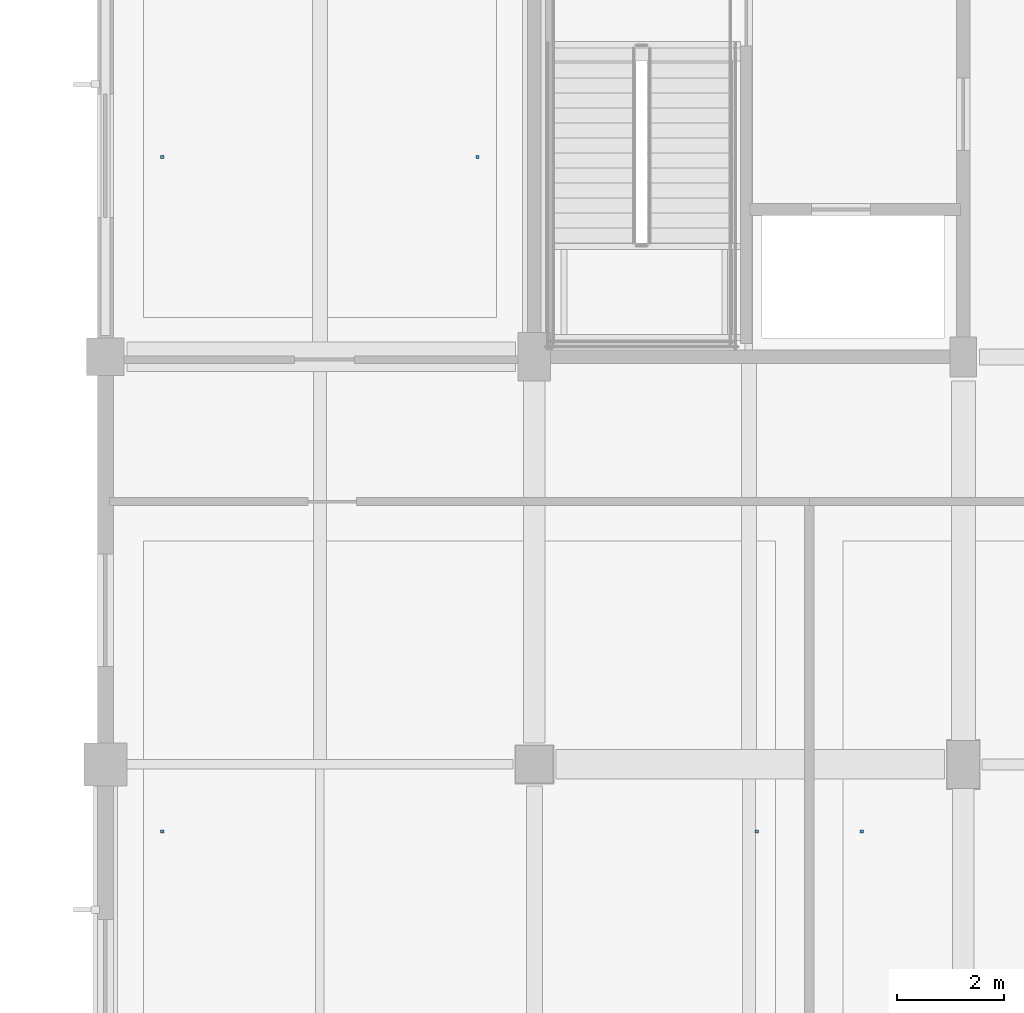
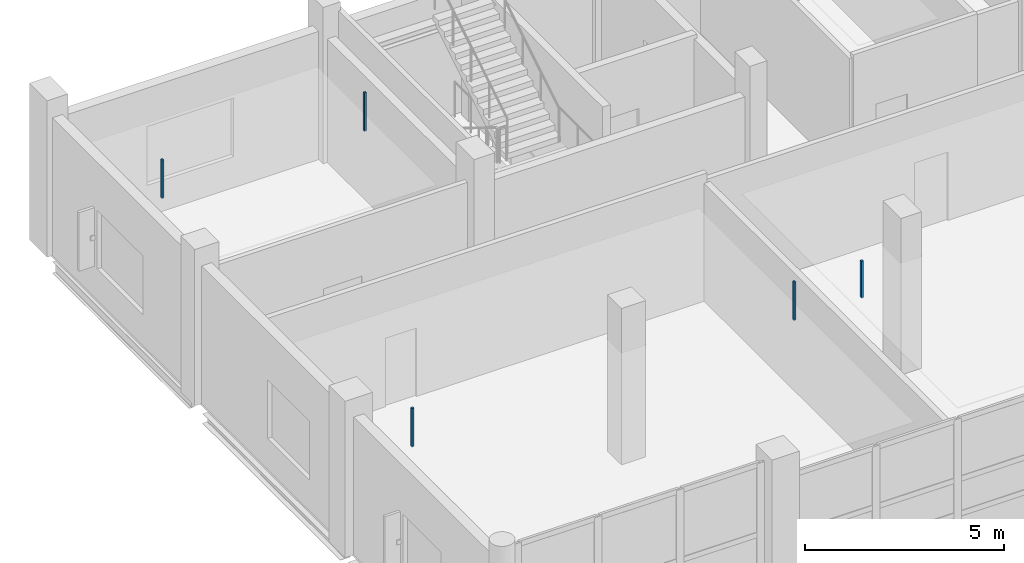
# One storey, part 38 of 46: 5 discrete accessories.
"""IFC4 building model written with IfcOpenShell, lengths in metres."""

from ifc_helpers import new_model, si_unit, direction, frame, origin, origin_2d, place, context, subcontext, project, spatial, rectangle, extrude, material, type_object, element, save


model = new_model("IFC4")

# Units and contexts
model_context = context("Model", 3, precision=1e-05, world=origin(), true_north=direction((0.0, 1.0)))
body_context = subcontext(model_context, "Body", "Model", "MODEL_VIEW")
ifc_project = project(units=[si_unit("LENGTHUNIT", "METRE"), si_unit("AREAUNIT", "SQUARE_METRE"), si_unit("VOLUMEUNIT", "CUBIC_METRE"), si_unit("PLANEANGLEUNIT", "RADIAN"), si_unit("MASSUNIT", "GRAM", prefix="KILO")], contexts=[model_context])

# Site, building, storey
site_placement = place(None, origin())
site = spatial("IfcSite", under=ifc_project, at=site_placement, CompositionType="ELEMENT")
building_placement = place(site_placement, origin())
building = spatial("IfcBuilding", under=site, at=building_placement, Name="Khelvaren Railside Concert Hall", CompositionType="ELEMENT")
storey_placement = place(building_placement, frame((0.0, 0.0, 19.800048828125)))
storey = spatial("IfcBuildingStorey", under=building, at=storey_placement, Name="L04", CompositionType="ELEMENT", Elevation=19.800048828125)

# Discrete accessories
ifc_material = material(Name="Galvanised steel acoustic ceiling hanger rod", Category="steel")
discrete_accessory_type = type_object("IfcDiscreteAccessoryType", Name="BRK62", PredefinedType="BRACKET", material=ifc_material)
for number, where, z_axis, x_axis, name in (
    (1, (137.06005859375, 97.550048828125, 3.43017578125), (0.0, 0.0, 1.0), (1.0, 0.0, 0.0), "Acoustic Ceiling Suspension Bracket 162-1"),
    (2, (148.14697265625, 97.550048828125, 3.43017578125), (0.0, 0.0, 1.0), (1.0, 0.0, 0.0), "Acoustic Ceiling Suspension Bracket 162-2"),
):
    element("IfcDiscreteAccessory", number, at=place(storey_placement, frame(where, z_axis=z_axis, x_axis=x_axis)), inside=storey, type_object=discrete_accessory_type, Name=name, PredefinedType="BRACKET", context=body_context, shape_type="SweptSolid", body=[
        extrude(rectangle(XDim=0.06005859375, YDim=0.06005859375, at=origin_2d()), origin(), (0.0, 0.0, 1.0), 1.179931640625),
    ])
discrete_accessory_placement = place(storey_placement, frame((150.10693359375, 97.550048828125, 3.429931640625), z_axis=(0.0, 0.0, 1.0), x_axis=(1.0, 0.0, 0.0)))
element("IfcDiscreteAccessory", 3, at=discrete_accessory_placement, inside=storey, type_object=discrete_accessory_type, Name="Acoustic Ceiling Suspension Bracket 163-1", PredefinedType="BRACKET", context=body_context, shape_type="SweptSolid", body=[
    extrude(rectangle(XDim=0.06005859375, YDim=0.06005859375, at=origin_2d()), origin(), (0.0, 0.0, 1.0), 1.1298828125),
])
for number, where, z_axis, x_axis, name in (
    (4, (137.06005859375, 110.125, 3.43017578125), (0.0, 0.0, 1.0), (1.0, 0.0, 0.0), "Acoustic Ceiling Suspension Bracket 166-1"),
    (5, (142.93994140625, 110.125, 3.43017578125), (0.0, 0.0, 1.0), (1.0, 0.0, 0.0), "Acoustic Ceiling Suspension Bracket 166-2"),
):
    element("IfcDiscreteAccessory", number, at=place(storey_placement, frame(where, z_axis=z_axis, x_axis=x_axis)), inside=storey, type_object=discrete_accessory_type, Name=name, PredefinedType="BRACKET", context=body_context, shape_type="SweptSolid", body=[
        extrude(rectangle(XDim=0.06005859375, YDim=0.06005859375, at=origin_2d()), origin(), (0.0, 0.0, 1.0), 1.179931640625),
    ])

save(model, "model.ifc")
